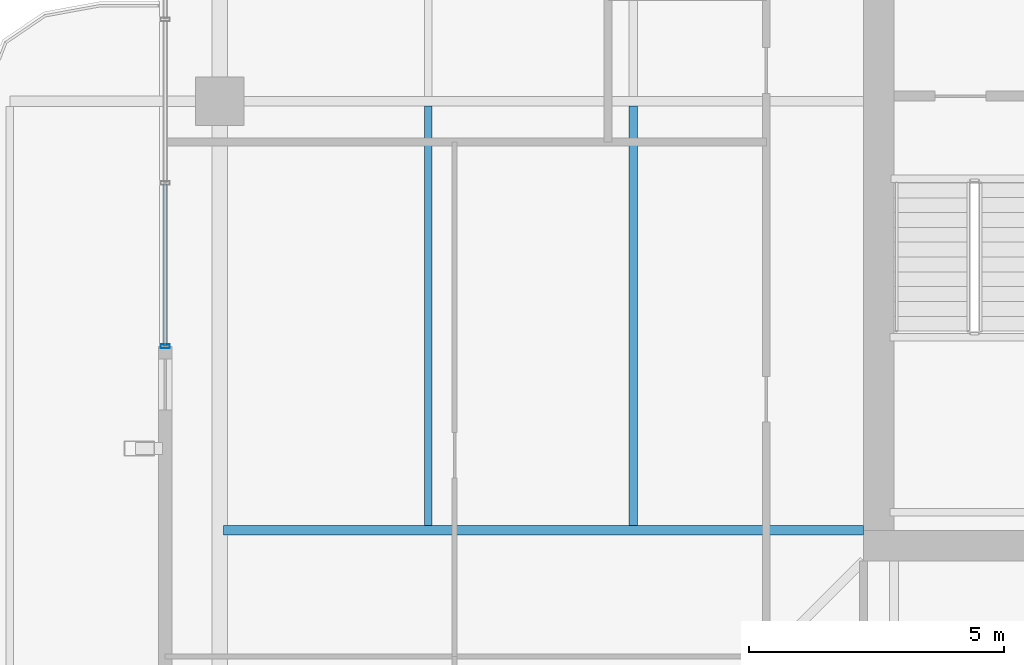
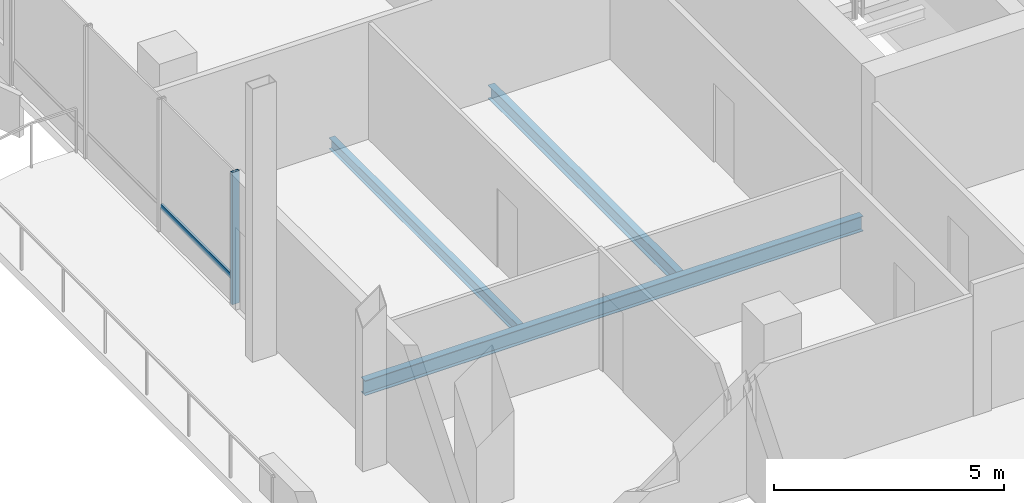
# One storey, part 6 of 20: 3 beams, 2 members, 1 element without a shape of its own.
"""IFC4 building model written with IfcOpenShell, lengths in metres."""

from ifc_helpers import new_model, si_unit, direction, frame, origin, origin_2d, place, context, subcontext, project, spatial, hollow_rectangle, i_section, extrude, material, layer, layer_set, material_profile, profile_set, type_object, element, aggregate, save


model = new_model("IFC4")

# Units and contexts
model_context = context("Model", 3, precision=1e-05, world=origin(), true_north=direction((0.0, 1.0)))
body_context = subcontext(model_context, "Body", "Model", "MODEL_VIEW")
ifc_project = project(units=[si_unit("LENGTHUNIT", "METRE"), si_unit("AREAUNIT", "SQUARE_METRE"), si_unit("VOLUMEUNIT", "CUBIC_METRE"), si_unit("PLANEANGLEUNIT", "RADIAN"), si_unit("MASSUNIT", "GRAM", prefix="KILO")], contexts=[model_context])

# Site, building, storey
site_placement = place(None, origin())
site = spatial("IfcSite", under=ifc_project, at=site_placement, CompositionType="ELEMENT")
building_placement = place(site_placement, origin())
building = spatial("IfcBuilding", under=site, at=building_placement, Name="Belovzor Exchange Tower", CompositionType="ELEMENT")
storey_placement = place(building_placement, frame((0.0, 0.0, 299.25)))
storey = spatial("IfcBuildingStorey", under=building, at=storey_placement, Name="L74", CompositionType="ELEMENT", Elevation=299.25)

# Beams
ifc_material_1 = material(Name="Steel S355", Category="steel")
ifc_material_profile_1 = material_profile(ifc_material_1, i_section(OverallWidth=0.169921875, OverallDepth=0.360107421875, WebThickness=0.008056640625, FlangeThickness=0.0126953125, at=origin_2d()))
ifc_profile_set_1 = profile_set([ifc_material_profile_1], Name="Steel S355")
beam_type_1 = type_object("IfcBeamType", Name="Secondary Infill Floor Joist IPE 360", PredefinedType="BEAM", material=ifc_profile_set_1)
beam_1_placement = place(storey_placement, frame((15.291015625, 20.489990234375, -0.419921875), z_axis=(0.0, 1.0, 0.0), x_axis=(-1.0, 0.0, 0.0)))
element("IfcBeam", 1, at=beam_1_placement, inside=storey, type_object=beam_type_1, Name="FJ-360 Secondary Infill Floor Joist IPE 360", PredefinedType="BEAM", context=body_context, shape_type="SweptSolid", body=[
    extrude(i_section(OverallWidth=0.169921875, OverallDepth=0.360107421875, WebThickness=0.008056640625, FlangeThickness=0.0126953125, at=origin_2d()), origin(), (0.0, 0.0, 1.0), 8.219970703125),
])
ifc_material_2 = material(Name="Steel S355", Category="steel")
ifc_material_profile_2 = material_profile(ifc_material_2, i_section(OverallWidth=0.14990234375, OverallDepth=0.300048828125, WebThickness=0.007080078125, FlangeThickness=0.0107421875, at=origin_2d()))
ifc_profile_set_2 = profile_set([ifc_material_profile_2], Name="Steel S355")
beam_type_2 = type_object("IfcBeamType", Name="Secondary Trim Floor Joist IPE 300", PredefinedType="BEAM", material=ifc_profile_set_2)
beam_2_placement = place(storey_placement, frame((11.282958984375, 20.489990234375, -0.389892578125), z_axis=(0.0, 1.0, 0.0), x_axis=(-1.0, 0.0, 0.0)))
element("IfcBeam", 2, at=beam_2_placement, inside=storey, type_object=beam_type_2, Name="FJ-300 Secondary Trim Floor Joist IPE 300", PredefinedType="BEAM", context=body_context, shape_type="SweptSolid", body=[
    extrude(i_section(OverallWidth=0.14990234375, OverallDepth=0.300048828125, WebThickness=0.007080078125, FlangeThickness=0.0107421875, at=origin_2d()), origin(), (0.0, 0.0, 1.0), 8.219970703125),
])

# Curtain wall, members
ifc_material_3 = material(Name="Anodised Aluminium Framing", Category="aluminium")
ifc_layer = layer(ifc_material_3, 0.179931640625)
ifc_layer_set = layer_set([ifc_layer], Name="Anodised Aluminium Framing")
curtain_wall_type = type_object("IfcCurtainWallType", Name="Recessed Loggia Low-Iron Triple-Glazed Curtain Wall", PredefinedType="NOTDEFINED", material=ifc_layer_set)
curtain_wall_placement = place(storey_placement, origin())
curtain_wall = element("IfcCurtainWall", 3, at=curtain_wall_placement, inside=storey, type_object=curtain_wall_type, Name="CW3 Recessed Loggia Low-Iron Triple-Glazed Curtain Wall L74", PredefinedType="NOTDEFINED")
ifc_material_4 = material(Name="Steel S355", Category="steel")
ifc_material_profile_3 = material_profile(ifc_material_4, hollow_rectangle(XDim=0.074951171875, YDim=0.179931640625, WallThickness=0.0048828125, at=origin_2d()))
ifc_profile_set_3 = profile_set([ifc_material_profile_3], Name="Steel S355")
member_type_1 = type_object("IfcMemberType", Name="Thermally Broken Curtain Wall Mullion 180x75", PredefinedType="MULLION", material=ifc_profile_set_3)
member_1_placement = place(storey_placement, frame((6.1298828125, 24.0, 0.0), z_axis=(0.0, 0.0, 1.0), x_axis=(0.0, 1.0, 0.0)))
member_1 = element("IfcMember", 4, at=member_1_placement, type_object=member_type_1, Name="CW-M180 Curtain Wall Mullion 1", PredefinedType="MULLION", context=body_context, shape_type="SweptSolid", body=[
    extrude(hollow_rectangle(XDim=0.074951171875, YDim=0.179931640625, WallThickness=0.0048828125, at=origin_2d()), origin(), (0.0, 0.0, 1.0), 3.510009765625),
])
ifc_material_5 = material(Name="Steel S355", Category="steel")
ifc_material_profile_4 = material_profile(ifc_material_5, hollow_rectangle(XDim=0.06005859375, YDim=0.14990234375, WallThickness=0.00390625, at=origin_2d()))
ifc_profile_set_4 = profile_set([ifc_material_profile_4], Name="Steel S355")
member_type_2 = type_object("IfcMemberType", Name="Thermally Broken Curtain Wall Transom 150x60", PredefinedType="USERDEFINED", material=ifc_profile_set_4)
member_2_placement = place(storey_placement, frame((6.1298828125, 24.008056640625, 0.632080078125), z_axis=(0.0, 1.0, 0.0), x_axis=(-1.0, 0.0, 0.0)))
member_2 = element("IfcMember", 5, at=member_2_placement, type_object=member_type_2, Name="CW-T150 Curtain Wall Transom 1", ObjectType="TRANSOM", PredefinedType="USERDEFINED", context=body_context, shape_type="SweptSolid", body=[
    extrude(hollow_rectangle(XDim=0.06005859375, YDim=0.14990234375, WallThickness=0.00390625, at=origin_2d()), origin(), (0.0, 0.0, 1.0), 3.183837890625),
])
aggregate(curtain_wall, [member_1, member_2])

# Beam
ifc_material_6 = material(Name="Steel S355", Category="steel")
ifc_material_profile_5 = material_profile(ifc_material_6, i_section(OverallWidth=0.179931640625, OverallDepth=0.39990234375, WebThickness=0.008544921875, FlangeThickness=0.013427734375, at=origin_2d()))
ifc_profile_set_5 = profile_set([ifc_material_profile_5], Name="Steel S355")
beam_type_3 = type_object("IfcBeamType", Name="Zone 5-6 Radial Composite Floor Beam IPE 400", PredefinedType="BEAM", material=ifc_profile_set_5)
beam_3_placement = place(storey_placement, frame((19.800048828125, 20.39990234375, -0.43994140625), z_axis=(-1.0, 0.0, 0.0), x_axis=(0.0, -1.0, 0.0)))
element("IfcBeam", 6, at=beam_3_placement, inside=storey, type_object=beam_type_3, Name="FB-400 Zone 5-6 Radial Composite Floor Beam IPE 400", PredefinedType="BEAM", context=body_context, shape_type="SweptSolid", body=[
    extrude(i_section(OverallWidth=0.179931640625, OverallDepth=0.39990234375, WebThickness=0.008544921875, FlangeThickness=0.013427734375, at=origin_2d()), origin(), (0.0, 0.0, 1.0), 12.525146484375),
])

save(model, "model.ifc")
